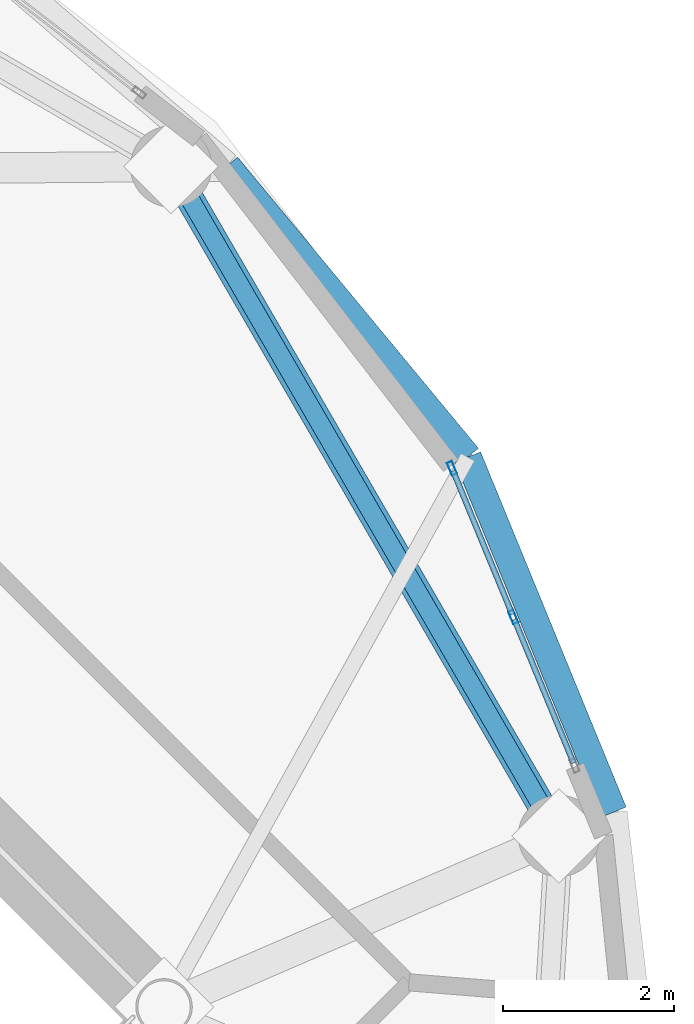
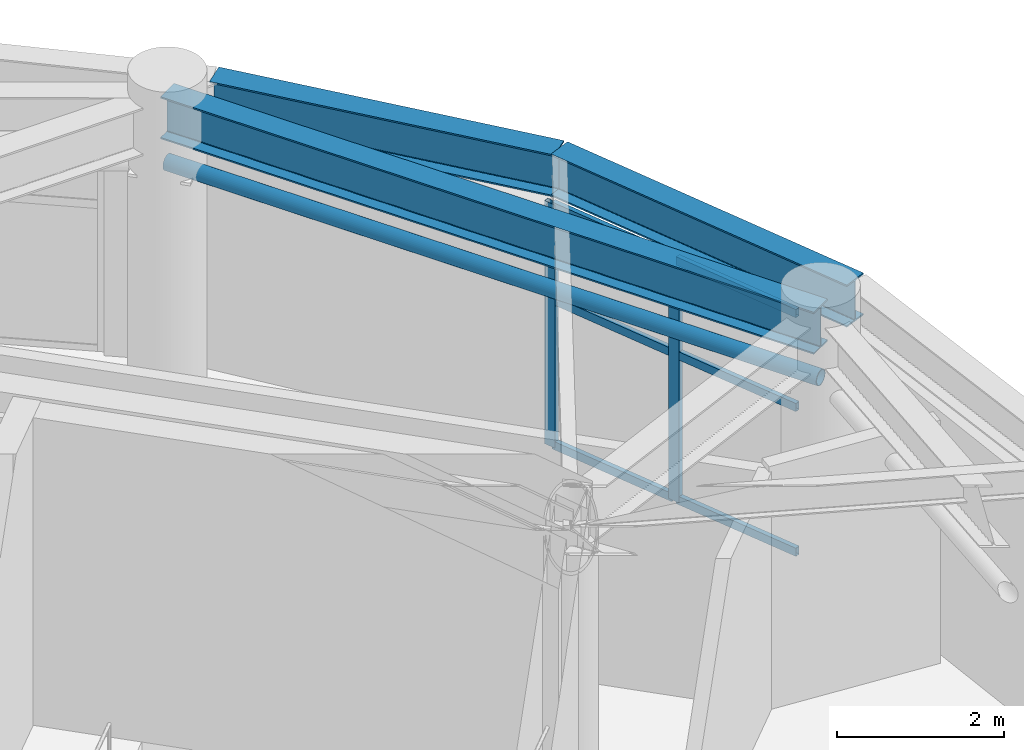
# One storey, part 20 of 26: 9 members, 3 beams, 1 element without a shape of its own.
"""IFC4 building model written with IfcOpenShell, lengths in metres."""

from ifc_helpers import new_model, si_unit, direction, frame, origin, origin_2d, place, context, subcontext, project, spatial, hollow_rectangle, hollow_circle, i_section, extrude, material, layer, layer_set, material_profile, profile_set, type_object, element, aggregate, save


model = new_model("IFC4")

# Units and contexts
model_context = context("Model", 3, precision=1e-05, world=origin(), true_north=direction((0.0, 1.0)))
body_context = subcontext(model_context, "Body", "Model", "MODEL_VIEW")
ifc_project = project(units=[si_unit("LENGTHUNIT", "METRE"), si_unit("AREAUNIT", "SQUARE_METRE"), si_unit("VOLUMEUNIT", "CUBIC_METRE"), si_unit("PLANEANGLEUNIT", "RADIAN"), si_unit("MASSUNIT", "GRAM", prefix="KILO")], contexts=[model_context])

# Site, building, storey
site_placement = place(None, origin())
site = spatial("IfcSite", under=ifc_project, at=site_placement, CompositionType="ELEMENT")
building_placement = place(site_placement, origin())
building = spatial("IfcBuilding", under=site, at=building_placement, Name="Cununo Teusaquillo Station Towers", CompositionType="ELEMENT")
storey_placement = place(building_placement, frame((0.0, 0.0, 240.330078125)))
storey = spatial("IfcBuildingStorey", under=building, at=storey_placement, Name="L76", CompositionType="ELEMENT", Elevation=240.330078125)

# Beams
ifc_material_1 = material(Name="Steel ASTM A572 Grade 50", Category="steel")
ifc_material_profile_1 = material_profile(ifc_material_1, i_section(OverallWidth=0.324951171875, OverallDepth=0.615966796875, WebThickness=0.013916015625, FlangeThickness=0.021484375, FilletRadius=0.01611328125, at=origin_2d()), Name="W24X117")
ifc_profile_set_1 = profile_set([ifc_material_profile_1], Name="Steel ASTM A572 Grade 50")
beam_type = type_object("IfcBeamType", Name="BM-PLNT-G2", PredefinedType="BEAM", material=ifc_profile_set_1)
beam_1_placement = place(storey_placement, frame((70.63525390625, 25.291015625, 3.891845703125), z_axis=(-0.501311121078, 0.865267103202, 0.0), x_axis=(-0.865267103202, -0.501311121078, 0.0)))
element("IfcBeam", 1, at=beam_1_placement, inside=storey, type_object=beam_type, Name="L76 Tower B Structural Column Ring Girder 10", PredefinedType="BEAM", context=body_context, shape_type="SweptSolid", body=[
    extrude(i_section(OverallWidth=0.324951171875, OverallDepth=0.615966796875, WebThickness=0.013916015625, FlangeThickness=0.021484375, FilletRadius=0.01611328125, at=origin_2d()), origin(), (0.0, 0.0, 1.0), 9.032958984375),
])
beam_2_placement = place(storey_placement, frame((71.27001953125, 25.56591796875, 3.891845703125), z_axis=(-0.379275405388, 0.925283830437, 0.0), x_axis=(-0.925283830437, -0.379275405388, 0.0)))
element("IfcBeam", 2, at=beam_2_placement, inside=storey, type_object=beam_type, Name="L76 Tower B Spandrel Ring Beam 19", PredefinedType="BEAM", context=body_context, shape_type="SweptSolid", body=[
    extrude(i_section(OverallWidth=0.324951171875, OverallDepth=0.615966796875, WebThickness=0.013916015625, FlangeThickness=0.021484375, FilletRadius=0.01611328125, at=origin_2d()), origin(), (0.0, 0.0, 1.0), 4.482177734375),
])
beam_3_placement = place(storey_placement, frame((69.570068359375, 29.713134765625, 3.891845703125), z_axis=(-0.637524682095, 0.770429931739, 0.0), x_axis=(-0.770429931739, -0.637524682095, 0.0)))
element("IfcBeam", 3, at=beam_3_placement, inside=storey, type_object=beam_type, Name="L76 Tower B Spandrel Ring Beam 20", PredefinedType="BEAM", context=body_context, shape_type="SweptSolid", body=[
    extrude(i_section(OverallWidth=0.324951171875, OverallDepth=0.615966796875, WebThickness=0.013916015625, FlangeThickness=0.021484375, FilletRadius=0.01611328125, at=origin_2d()), origin(), (0.0, 0.0, 1.0), 4.412353515625),
])

# Curtain wall, members
ifc_material_2 = material(Name="Ceramic-fritted dark low-E double glazing", Category="glass")
ifc_layer = layer(ifc_material_2, 0.179931640625)
ifc_layer_set = layer_set([ifc_layer], Name="Ceramic-fritted dark low-E double glazing")
curtain_wall_type = type_object("IfcCurtainWallType", Name="CW-SYS-08", PredefinedType="USERDEFINED", material=ifc_layer_set)
curtain_wall_placement = place(storey_placement, origin())
curtain_wall = element("IfcCurtainWall", 4, at=curtain_wall_placement, inside=storey, type_object=curtain_wall_type, Name="L76 Tower B Crown Drum Glazed Screen C18", ObjectType="FRITTED GLAZING", PredefinedType="USERDEFINED")
ifc_material_3 = material(Name="Anodised dark bronze aluminium EN AW-6063-T6", Category="aluminium")
ifc_material_profile_2 = material_profile(ifc_material_3, hollow_rectangle(XDim=0.06494140625, YDim=0.159912109375, WallThickness=0.00390625, at=origin_2d()), Name="CW-MULL-65x160")
ifc_profile_set_2 = profile_set([ifc_material_profile_2], Name="Anodised dark bronze aluminium EN AW-6063-T6")
member_type_1 = type_object("IfcMemberType", Name="CWM-160", PredefinedType="MULLION", material=ifc_profile_set_2)
member_1_placement = place(storey_placement, frame((69.38623046875, 29.583251953125, 0.0), z_axis=(0.0, 0.0, 1.0), x_axis=(0.924447019904, 0.381310513086, 0.0)))
member_1 = element("IfcMember", 5, at=member_1_placement, type_object=member_type_1, Name="CW-08 mullion 1", PredefinedType="MULLION", context=body_context, shape_type="SweptSolid", body=[
    extrude(hollow_rectangle(XDim=0.06494140625, YDim=0.159912109375, WallThickness=0.00390625, at=origin_2d()), origin(), (0.0, 0.0, 1.0), 3.555908203125),
])
member_2_placement = place(storey_placement, frame((70.102294921875, 27.84716796875, 0.0), z_axis=(0.0, 0.0, 1.0), x_axis=(0.924447019904, 0.381310513086, 0.0)))
member_2 = element("IfcMember", 6, at=member_2_placement, type_object=member_type_1, Name="CW-08 mullion 2", PredefinedType="MULLION", context=body_context, shape_type="SweptSolid", body=[
    extrude(hollow_rectangle(XDim=0.06494140625, YDim=0.159912109375, WallThickness=0.00390625, at=origin_2d()), origin(), (0.0, 0.0, 1.0), 3.555908203125),
])
ifc_material_4 = material(Name="Anodised dark bronze aluminium EN AW-6063-T6", Category="aluminium")
ifc_material_profile_3 = material_profile(ifc_material_4, hollow_rectangle(XDim=0.06494140625, YDim=0.1201171875, WallThickness=0.00390625, at=origin_2d()), Name="CW-TRAN-65x120")
ifc_profile_set_3 = profile_set([ifc_material_profile_3], Name="Anodised dark bronze aluminium EN AW-6063-T6")
member_type_2 = type_object("IfcMemberType", Name="CWT-120", PredefinedType="USERDEFINED", material=ifc_profile_set_3)
member_3_placement = place(storey_placement, frame((69.398681640625, 29.55322265625, 0.032470703125), z_axis=(0.381237415932, -0.92447716721, 0.0), x_axis=(0.92447716721, 0.381237415932, 0.0)))
member_3 = element("IfcMember", 7, at=member_3_placement, type_object=member_type_2, Name="CW-08 transom 1.1", ObjectType="TRANSOM", PredefinedType="USERDEFINED", context=body_context, shape_type="SweptSolid", body=[
    extrude(hollow_rectangle(XDim=0.06494140625, YDim=0.1201171875, WallThickness=0.00390625, at=origin_2d()), origin(), (0.0, 0.0, 1.0), 1.81298828125),
])
member_4_placement = place(storey_placement, frame((69.398681640625, 29.55322265625, 2.14990234375), z_axis=(0.381237415932, -0.92447716721, 0.0), x_axis=(0.92447716721, 0.381237415932, 0.0)))
member_4 = element("IfcMember", 8, at=member_4_placement, type_object=member_type_2, Name="CW-08 transom 1.2", ObjectType="TRANSOM", PredefinedType="USERDEFINED", context=body_context, shape_type="SweptSolid", body=[
    extrude(hollow_rectangle(XDim=0.06494140625, YDim=0.1201171875, WallThickness=0.00390625, at=origin_2d()), origin(), (0.0, 0.0, 1.0), 1.81298828125),
])
member_5_placement = place(storey_placement, frame((69.398681640625, 29.55322265625, 3.5234375), z_axis=(0.381237415932, -0.92447716721, 0.0), x_axis=(0.92447716721, 0.381237415932, 0.0)))
member_5 = element("IfcMember", 9, at=member_5_placement, type_object=member_type_2, Name="CW-08 transom 1.3", ObjectType="TRANSOM", PredefinedType="USERDEFINED", context=body_context, shape_type="SweptSolid", body=[
    extrude(hollow_rectangle(XDim=0.06494140625, YDim=0.1201171875, WallThickness=0.00390625, at=origin_2d()), origin(), (0.0, 0.0, 1.0), 1.81298828125),
])
member_6_placement = place(storey_placement, frame((70.11474609375, 27.817138671875, 0.032470703125), z_axis=(0.381284883483, -0.924457591038, 0.0), x_axis=(0.924457591038, 0.381284883483, 0.0)))
member_6 = element("IfcMember", 10, at=member_6_placement, type_object=member_type_2, Name="CW-08 transom 2.1", ObjectType="TRANSOM", PredefinedType="USERDEFINED", context=body_context, shape_type="SweptSolid", body=[
    extrude(hollow_rectangle(XDim=0.06494140625, YDim=0.1201171875, WallThickness=0.00390625, at=origin_2d()), origin(), (0.0, 0.0, 1.0), 1.812744140625),
])
member_7_placement = place(storey_placement, frame((70.11474609375, 27.817138671875, 2.14990234375), z_axis=(0.381284883483, -0.924457591038, 0.0), x_axis=(0.924457591038, 0.381284883483, 0.0)))
member_7 = element("IfcMember", 11, at=member_7_placement, type_object=member_type_2, Name="CW-08 transom 2.2", ObjectType="TRANSOM", PredefinedType="USERDEFINED", context=body_context, shape_type="SweptSolid", body=[
    extrude(hollow_rectangle(XDim=0.06494140625, YDim=0.1201171875, WallThickness=0.00390625, at=origin_2d()), origin(), (0.0, 0.0, 1.0), 1.812744140625),
])
member_8_placement = place(storey_placement, frame((70.11474609375, 27.817138671875, 3.5234375), z_axis=(0.381284883483, -0.924457591038, 0.0), x_axis=(0.924457591038, 0.381284883483, 0.0)))
member_8 = element("IfcMember", 12, at=member_8_placement, type_object=member_type_2, Name="CW-08 transom 2.3", ObjectType="TRANSOM", PredefinedType="USERDEFINED", context=body_context, shape_type="SweptSolid", body=[
    extrude(hollow_rectangle(XDim=0.06494140625, YDim=0.1201171875, WallThickness=0.00390625, at=origin_2d()), origin(), (0.0, 0.0, 1.0), 1.812744140625),
])
aggregate(curtain_wall, [member_1, member_2, member_3, member_4, member_5, member_6, member_7, member_8])

# Member
ifc_material_5 = material(Name="Steel EN 10025-2 S355J2", Category="steel")
ifc_material_profile_4 = material_profile(ifc_material_5, hollow_circle(Radius=0.109619140625, WallThickness=0.010009765625, at=origin_2d()), Name="CHS 219x10")
ifc_profile_set_4 = profile_set([ifc_material_profile_4], Name="Steel EN 10025-2 S355J2")
member_type_3 = type_object("IfcMemberType", Name="MBR-DRUM-COL", PredefinedType="COLLAR", material=ifc_profile_set_4)
member_9_placement = place(storey_placement, frame((70.63525390625, 25.291015625, 3.14990234375), z_axis=(-0.501311121078, 0.865267103202, 0.0), x_axis=(-0.865267103202, -0.501311121078, 0.0)))
element("IfcMember", 13, at=member_9_placement, inside=storey, type_object=member_type_3, Name="L76 Tower B Crown Drum Collar 10", PredefinedType="COLLAR", context=body_context, shape_type="SweptSolid", body=[
    extrude(hollow_circle(Radius=0.109619140625, WallThickness=0.010009765625, at=origin_2d()), origin(), (0.0, 0.0, 1.0), 9.032958984375),
])

save(model, "model.ifc")
